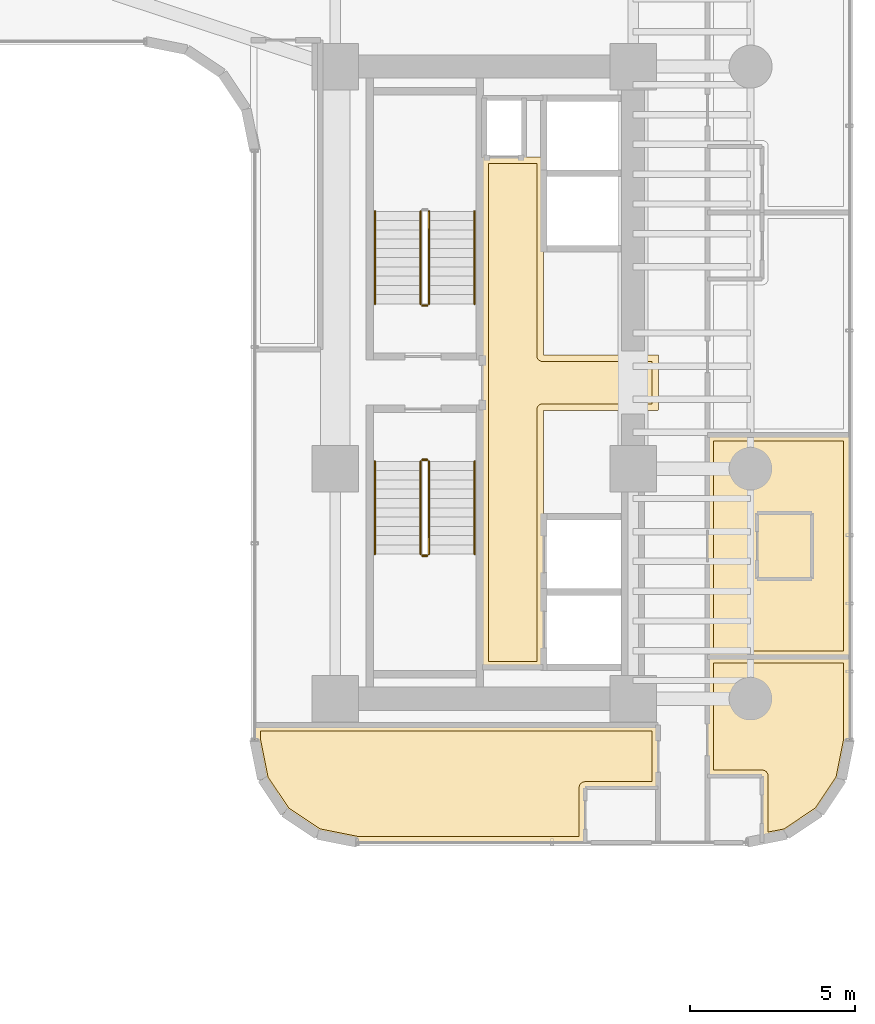
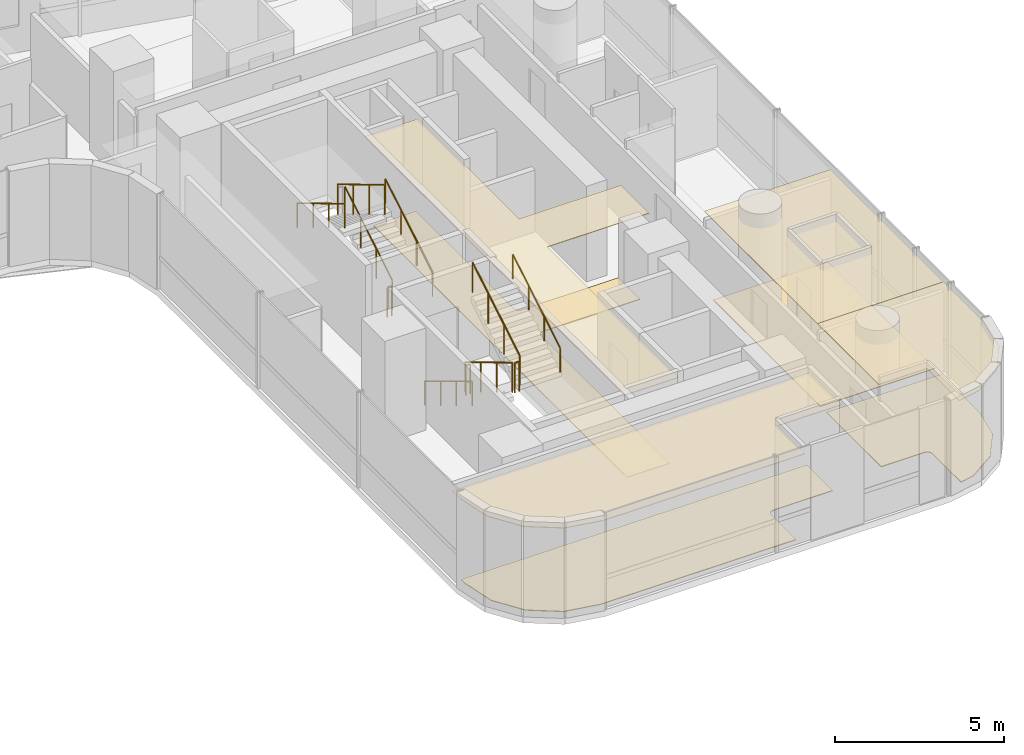
# One storey, part 39 of 42: 11 railings, 8 coverings.
"""IFC4 building model written with IfcOpenShell, lengths in metres."""

import ifcopenshell
import ifcopenshell.guid

model = None  # the IFC model being written
_history = None  # IfcOwnerHistory: only IFC2X3 demands one
_inside = {}  # id of a spatial element -> (the spatial element, [elements in it])
_under = {}  # id of a project, library or spatial element -> (it, [spatial elements below it])
_declared = {}  # id of a project -> (the project, [libraries it declares])
_typed = {}  # id of a type object -> (the type object, [elements of that type])
_made_of = {}  # id of a material, layer set ... -> (it, [elements and type objects made of it])


def new_model(schema):
    """Start an empty IFC model of exactly this schema.

    Asked for "IFC4X3", IfcOpenShell would pick the latest addendum, in which some entities
    have other attributes; the version numbers below select the first issue.
    IFC2X3 requires an IfcOwnerHistory on every rooted entity: one is made here for all.
    """
    global model, _history
    if schema == "IFC4X3":
        model = ifcopenshell.file(schema_version=(4, 3, 0, 0))
    else:
        model = ifcopenshell.file(schema=schema)
    _inside.clear()
    _under.clear()
    _declared.clear()
    _typed.clear()
    _made_of.clear()
    _history = None
    if model.schema == "IFC2X3":
        org = make("IfcOrganization", Name="unknown")
        user = make(
            "IfcPersonAndOrganization",
            ThePerson=make("IfcPerson", FamilyName="unknown"),
            TheOrganization=org,
        )
        app = make(
            "IfcApplication",
            ApplicationDeveloper=org,
            Version="unknown",
            ApplicationFullName="unknown",
            ApplicationIdentifier="unknown",
        )
        _history = make(
            "IfcOwnerHistory",
            OwningUser=user,
            OwningApplication=app,
            ChangeAction="ADDED",
            CreationDate=0,
        )
    return model


def make(cls, **values):
    """One entity of the class cls with the attributes given. An attribute that is None is left unset."""
    return model.create_entity(
        cls, **{name: value for name, value in values.items() if value is not None}
    )


def rooted(cls, **values):
    """An entity with a GlobalId (a new one), such as an element, a storey or a relation."""
    return make(cls, GlobalId=ifcopenshell.guid.new(), OwnerHistory=_history, **values)


def si_unit(unit_type, name, prefix=None):
    """IfcSIUnit, for example si_unit("LENGTHUNIT", "METRE", prefix="MILLI")."""
    return make("IfcSIUnit", UnitType=unit_type, Prefix=prefix, Name=name)


def assignment(units):
    """IfcUnitAssignment: the units of a project."""
    return None if units is None else make("IfcUnitAssignment", Units=units)


def point(xyz):
    """IfcCartesianPoint."""
    return None if xyz is None else make("IfcCartesianPoint", Coordinates=xyz)


def direction(xyz):
    """IfcDirection."""
    return None if xyz is None else make("IfcDirection", DirectionRatios=xyz)


def frame(location, z_axis=None, x_axis=None):
    """IfcAxis2Placement3D, a coordinate frame: its origin and axes. An axis left out is left unset."""
    return make(
        "IfcAxis2Placement3D",
        Location=point(location),
        Axis=direction(z_axis),
        RefDirection=direction(x_axis),
    )


def frame_2d(location, x_axis=None):
    """IfcAxis2Placement2D, a coordinate frame in the plane: its origin and x axis."""
    return make(
        "IfcAxis2Placement2D", Location=point(location), RefDirection=direction(x_axis)
    )


def origin():
    """The frame at (0, 0, 0) with its axes left unset."""
    return frame((0.0, 0.0, 0.0))


def origin_2d():
    """The frame at (0, 0) in the plane with its x axis left unset."""
    return frame_2d((0.0, 0.0))


def place(relative_to, where):
    """IfcLocalPlacement: puts the frame where relative to a parent placement (None: the world)."""
    return make(
        "IfcLocalPlacement", PlacementRelTo=relative_to, RelativePlacement=where
    )


def context(
    kind, dimensions, precision=None, world=None, true_north=None, identifier=None
):
    """IfcGeometricRepresentationContext, for example the 3D "Model" context."""
    return make(
        "IfcGeometricRepresentationContext",
        ContextIdentifier=identifier,
        ContextType=kind,
        CoordinateSpaceDimension=dimensions,
        Precision=precision,
        WorldCoordinateSystem=world,
        TrueNorth=true_north,
    )


def subcontext(parent, identifier, kind, view, scale=None):
    """IfcGeometricRepresentationSubContext, for example "Body" below "Model"."""
    return make(
        "IfcGeometricRepresentationSubContext",
        ContextIdentifier=identifier,
        ContextType=kind,
        ParentContext=parent,
        TargetScale=scale,
        TargetView=view,
    )


def project(units=None, contexts=None):
    """IfcProject with its units and contexts."""
    return rooted(
        "IfcProject",
        Name="project",
        RepresentationContexts=contexts,
        UnitsInContext=assignment(units),
    )


def spatial(cls, under=None, at=None, **own):
    """A site, building, storey or space (cls), placed at a placement, below another one or the project."""
    s = rooted(cls, ObjectPlacement=at, **own)
    if under is not None:
        _under.setdefault(under.id(), (under, []))[1].append(s)
    return s


def polyline(points):
    """IfcPolyline through the points."""
    return make("IfcPolyline", Points=[point(p) for p in points])


def profile(cls, at=None, kind="AREA", **sizes):
    """A parametric profile (cls). Its sizes go by their IFC names, for example OverallWidth=200.0."""
    return make(cls, ProfileType=kind, Position=at, **sizes)


def circle(**sizes):
    """IfcCircleProfileDef."""
    return profile("IfcCircleProfileDef", **sizes)


def outline(outer, holes=None, kind="AREA"):
    """IfcArbitraryClosedProfileDef: a profile drawn as a closed curve; with holes, ...WithVoids."""
    if holes is None:
        return make("IfcArbitraryClosedProfileDef", ProfileType=kind, OuterCurve=outer)
    return make(
        "IfcArbitraryProfileDefWithVoids",
        ProfileType=kind,
        OuterCurve=outer,
        InnerCurves=holes,
    )


def extrude(swept, where, along, depth):
    """IfcExtrudedAreaSolid: the profile swept, set in the frame where, extruded along a direction by depth."""
    return make(
        "IfcExtrudedAreaSolid",
        SweptArea=swept,
        Position=where,
        ExtrudedDirection=direction(along),
        Depth=depth,
    )


def shape(context_of_items, identifier, shape_type, items):
    """IfcShapeRepresentation: the items that make up one representation, for example the "Body"."""
    return make(
        "IfcShapeRepresentation",
        ContextOfItems=context_of_items,
        RepresentationIdentifier=identifier,
        RepresentationType=shape_type,
        Items=items,
    )


def material(Name=None, Category=None):
    """IfcMaterial."""
    return make("IfcMaterial", Name=Name, Category=Category)


def layer(
    of_material, thickness, ventilated=None, Name=None, Category=None, Priority=None
):
    """IfcMaterialLayer: one layer of a wall or slab, of a material (None: an air gap)."""
    return make(
        "IfcMaterialLayer",
        Material=of_material,
        LayerThickness=thickness,
        IsVentilated=ventilated,
        Name=Name,
        Category=Category,
        Priority=Priority,
    )


def layer_set(layers, Name=None):
    """IfcMaterialLayerSet."""
    return make("IfcMaterialLayerSet", MaterialLayers=layers, LayerSetName=Name)


def made_of(thing, what):
    """Note that an element or type object is made of a material, layer set ...; save() writes the relation."""
    if what is not None:
        _made_of.setdefault(what.id(), (what, []))[1].append(thing)
    return thing


def type_object(cls, material=None, **own):
    """A type object (cls), such as IfcWallType, which elements share."""
    return made_of(rooted(cls, **own), material)


def element(
    cls,
    number,
    at=None,
    inside=None,
    cuts=None,
    type_object=None,
    material=None,
    context=None,
    identifier="Body",
    shape_type=None,
    held_by="IfcProductDefinitionShape",
    body=None,
    shapes=None,
    **own,
):
    """One element of the class cls, such as IfcWall. Its Tag is "e" and its number.

    at: its placement. inside: the storey or other place that contains it. cuts: it is an
    opening in that element (IfcRelVoidsElement). A single representation is given by context,
    identifier, shape_type and body (its items); several are given by shapes. held_by: the class
    of the entity that holds the representations. save() writes the other relations.
    """
    e = rooted(cls, Tag="e%d" % number, ObjectPlacement=at, **own)
    if body is not None:
        shapes = [shape(context, identifier, shape_type, body)]
    if shapes is not None:
        e.Representation = make(held_by, Representations=shapes)
    if inside is not None:
        _inside.setdefault(inside.id(), (inside, []))[1].append(e)
    if cuts is not None:
        rooted(
            "IfcRelVoidsElement", RelatingBuildingElement=cuts, RelatedOpeningElement=e
        )
    if type_object is not None:
        _typed.setdefault(type_object.id(), (type_object, []))[1].append(e)
    return made_of(e, material)


def aggregate(whole, parts):
    """IfcRelAggregates: a whole, such as a stair, and the parts it consists of."""
    return rooted("IfcRelAggregates", RelatingObject=whole, RelatedObjects=parts)


def save(model, path):
    """Write the relations noted so far, then the file.

    IfcRelAggregates (storeys below a building ...), IfcRelContainedInSpatialStructure (elements
    in a storey), IfcRelDefinesByType, IfcRelAssociatesMaterial and IfcRelDeclares: one each for
    every whole, place, type object, material and project.
    """
    for whole, parts in _under.values():
        aggregate(whole, parts)
    for where, things in _inside.values():
        rooted(
            "IfcRelContainedInSpatialStructure",
            RelatedElements=things,
            RelatingStructure=where,
        )
    for kind, things in _typed.values():
        rooted("IfcRelDefinesByType", RelatedObjects=things, RelatingType=kind)
    for what, things in _made_of.values():
        rooted("IfcRelAssociatesMaterial", RelatedObjects=things, RelatingMaterial=what)
    for by, libraries in _declared.values():
        rooted("IfcRelDeclares", RelatingContext=by, RelatedDefinitions=libraries)
    model.write(path)


model = new_model("IFC4")

# Units and contexts
model_context = context("Model", 3, precision=1e-05, world=origin(), true_north=direction((0.0, 1.0)))
body_context = subcontext(model_context, "Body", "Model", "MODEL_VIEW")
ifc_project = project(units=[si_unit("LENGTHUNIT", "METRE"), si_unit("AREAUNIT", "SQUARE_METRE"), si_unit("VOLUMEUNIT", "CUBIC_METRE"), si_unit("PLANEANGLEUNIT", "RADIAN"), si_unit("MASSUNIT", "GRAM", prefix="KILO")], contexts=[model_context])

# Site, building, storey
site_placement = place(None, origin())
site = spatial("IfcSite", under=ifc_project, at=site_placement, CompositionType="ELEMENT")
building_placement = place(site_placement, origin())
building = spatial("IfcBuilding", under=site, at=building_placement, Name="Valdorenza Pilgrim Sanctuary Tower", CompositionType="ELEMENT")
storey_placement = place(building_placement, frame((0.0, 0.0, 29.699951171875)))
storey = spatial("IfcBuildingStorey", under=building, at=storey_placement, Name="L06", CompositionType="ELEMENT", Elevation=29.699951171875)

# Coverings
ifc_material_1 = material(Name="Micro-perforated acoustic mineral ceiling tile", Category="gypsum")
ifc_layer_1 = layer(ifc_material_1, 0.02490234375, Name="Micro-perforated acoustic mineral ceiling tile")
ifc_layer_set_1 = layer_set([ifc_layer_1], Name="Micro-perforated acoustic mineral ceiling tile")
covering_type_1 = type_object("IfcCoveringType", Name="COV-CLG-ACU", PredefinedType="CEILING", material=ifc_layer_set_1)
covering_1_placement = place(storey_placement, frame((0.0, 0.0, 3.16015625)))
element("IfcCovering", 1, at=covering_1_placement, inside=storey, type_object=covering_type_1, Name="L06 Core B Passenger Lift Lobby Acoustic Ceiling", PredefinedType="CEILING", context=body_context, shape_type="SweptSolid", body=[
    extrude(outline(polyline([(20.287109375, -0.814697265625), (20.287109375, 0.814697265625), (20.28662109375, 0.815185546875), (20.2861328125, 0.81640625), (20.28564453125, 0.81787109375), (20.285400390625, 0.819091796875), (20.28515625, 0.820556640625), (20.284912109375, 0.822021484375), (20.284912109375, 6.800048828125), (20.28515625, 6.801513671875), (20.285400390625, 6.802978515625), (20.28564453125, 6.804443359375), (20.2861328125, 6.8056640625), (20.286865234375, 6.80712890625), (20.28759765625, 6.808349609375), (20.288330078125, 6.8095703125), (20.289306640625, 6.810546875), (20.29052734375, 6.8115234375), (20.291748046875, 6.8125), (20.29296875, 6.813232421875), (20.294189453125, 6.81396484375), (20.295654296875, 6.814453125), (20.297119140625, 6.814697265625), (20.298583984375, 6.81494140625), (20.300048828125, 6.81494140625), (20.347900390625, 6.81494140625), (20.349365234375, 6.81494140625), (20.350830078125, 6.814697265625), (20.352294921875, 6.814453125), (20.353515625, 6.81396484375), (20.35498046875, 6.813232421875), (20.35546875, 6.81298828125), (21.544677734375, 6.81298828125), (21.545166015625, 6.813232421875), (21.54638671875, 6.81396484375), (21.5478515625, 6.814453125), (21.54931640625, 6.814697265625), (21.550537109375, 6.81494140625), (21.552001953125, 6.81494140625), (22.1201171875, 6.81494140625), (22.12158203125, 6.81494140625), (22.122802734375, 6.814697265625), (22.12451171875, 6.814453125), (22.125732421875, 6.81396484375), (22.127197265625, 6.813232421875), (22.12841796875, 6.8125), (22.12939453125, 6.8115234375), (22.130615234375, 6.810546875), (22.131591796875, 6.8095703125), (22.132568359375, 6.808349609375), (22.13330078125, 6.80712890625), (22.1337890625, 6.8056640625), (22.134521484375, 6.804443359375), (22.134765625, 6.802978515625), (22.135009765625, 6.801513671875), (22.135009765625, 6.800048828125), (22.135009765625, 0.8349609375), (25.60009765625, 0.8349609375), (25.6015625, 0.8349609375), (25.602783203125, 0.834716796875), (25.6044921875, 0.83447265625), (25.605712890625, 0.833984375), (25.607177734375, 0.833251953125), (25.6083984375, 0.83251953125), (25.609619140625, 0.83154296875), (25.610595703125, 0.83056640625), (25.611572265625, 0.82958984375), (25.612548828125, 0.828369140625), (25.61328125, 0.8271484375), (25.614013671875, 0.82568359375), (25.614501953125, 0.824462890625), (25.61474609375, 0.822998046875), (25.614990234375, 0.821533203125), (25.614990234375, 0.820068359375), (25.614990234375, -0.820068359375), (25.614990234375, -0.821533203125), (25.61474609375, -0.822998046875), (25.614501953125, -0.824462890625), (25.614013671875, -0.82568359375), (25.61328125, -0.8271484375), (25.612548828125, -0.828369140625), (25.611572265625, -0.82958984375), (25.610595703125, -0.83056640625), (25.609619140625, -0.83154296875), (25.6083984375, -0.83251953125), (25.607177734375, -0.833251953125), (25.605712890625, -0.833984375), (25.6044921875, -0.83447265625), (25.602783203125, -0.834716796875), (25.6015625, -0.8349609375), (25.60009765625, -0.8349609375), (22.135009765625, -0.8349609375), (22.135009765625, -8.60009765625), (22.135009765625, -8.6015625), (22.134765625, -8.602783203125), (22.134521484375, -8.6044921875), (22.1337890625, -8.605712890625), (22.13330078125, -8.607177734375), (22.132568359375, -8.6083984375), (22.131591796875, -8.609619140625), (22.130615234375, -8.610595703125), (22.12939453125, -8.611572265625), (22.12841796875, -8.612548828125), (22.127197265625, -8.61328125), (22.125732421875, -8.614013671875), (22.12451171875, -8.614501953125), (22.122802734375, -8.61474609375), (22.12158203125, -8.614990234375), (22.1201171875, -8.614990234375), (20.300048828125, -8.614990234375), (20.298583984375, -8.614990234375), (20.297119140625, -8.61474609375), (20.295654296875, -8.614501953125), (20.294189453125, -8.614013671875), (20.29296875, -8.61328125), (20.291748046875, -8.612548828125), (20.29052734375, -8.611572265625), (20.289306640625, -8.610595703125), (20.288330078125, -8.609619140625), (20.28759765625, -8.6083984375), (20.286865234375, -8.607177734375), (20.2861328125, -8.605712890625), (20.28564453125, -8.6044921875), (20.285400390625, -8.602783203125), (20.28515625, -8.6015625), (20.284912109375, -8.60009765625), (20.284912109375, -0.822021484375), (20.28515625, -0.820556640625), (20.285400390625, -0.819091796875), (20.28564453125, -0.81787109375), (20.2861328125, -0.81640625), (20.28662109375, -0.815185546875), (20.287109375, -0.814697265625)])), origin(), (0.0, 0.0, 1.0), 0.02490234375),
])
covering_2_placement = place(storey_placement, frame((0.0, 0.0, 3.16015625)))
element("IfcCovering", 2, at=covering_2_placement, inside=storey, type_object=covering_type_1, Name="L06 East South Guest Room L06-ES1 Acoustic Ceiling", PredefinedType="CEILING", context=body_context, shape_type="SweptSolid", body=[
    extrude(outline(polyline([(23.4130859375, -12.2529296875), (23.4130859375, -13.889892578125), (23.412841796875, -13.8916015625), (23.41259765625, -13.892822265625), (23.412353515625, -13.894287109375), (23.411865234375, -13.895751953125), (23.4111328125, -13.897216796875), (23.410400390625, -13.898193359375), (23.40966796875, -13.8994140625), (23.40869140625, -13.900634765625), (23.407470703125, -13.901611328125), (23.40625, -13.902587890625), (23.405029296875, -13.9033203125), (23.40380859375, -13.90380859375), (23.40234375, -13.904296875), (23.40087890625, -13.90478515625), (23.3994140625, -13.90478515625), (23.39794921875, -13.905029296875), (16.5107421875, -13.905029296875), (16.509521484375, -13.90478515625), (16.5078125, -13.90478515625), (15.3154296875, -13.66748046875), (15.31396484375, -13.6669921875), (15.3125, -13.66650390625), (15.311279296875, -13.666015625), (15.31005859375, -13.665283203125), (14.308349609375, -12.995849609375), (14.30712890625, -12.9951171875), (14.305908203125, -12.993896484375), (14.304931640625, -12.992919921875), (14.30419921875, -12.99169921875), (13.634765625, -11.989990234375), (13.634033203125, -11.98876953125), (13.63330078125, -11.9873046875), (13.6328125, -11.986083984375), (13.632568359375, -11.984619140625), (13.395263671875, -10.7919921875), (13.39501953125, -10.79052734375), (13.39501953125, -10.789306640625), (13.39501953125, -10.35009765625), (13.39501953125, -10.348388671875), (13.395263671875, -10.34716796875), (13.3955078125, -10.345703125), (13.39599609375, -10.34423828125), (13.396728515625, -10.343017578125), (13.3974609375, -10.341796875), (13.3984375, -10.340576171875), (13.3994140625, -10.33935546875), (13.400390625, -10.33837890625), (13.401611328125, -10.33740234375), (13.40283203125, -10.3369140625), (13.404296875, -10.336181640625), (13.405517578125, -10.335693359375), (13.406982421875, -10.335205078125), (13.408447265625, -10.335205078125), (13.409912109375, -10.3349609375), (25.60009765625, -10.3349609375), (25.6015625, -10.335205078125), (25.602783203125, -10.335205078125), (25.6044921875, -10.335693359375), (25.605712890625, -10.336181640625), (25.607177734375, -10.3369140625), (25.6083984375, -10.33740234375), (25.609619140625, -10.33837890625), (25.610595703125, -10.33935546875), (25.611572265625, -10.340576171875), (25.612548828125, -10.341796875), (25.61328125, -10.343017578125), (25.614013671875, -10.34423828125), (25.614501953125, -10.345703125), (25.61474609375, -10.34716796875), (25.614990234375, -10.348388671875), (25.614990234375, -10.35009765625), (25.614990234375, -12.238037109375), (25.614990234375, -12.239501953125), (25.61474609375, -12.240966796875), (25.614501953125, -12.242431640625), (25.614013671875, -12.24365234375), (25.61328125, -12.2451171875), (25.612548828125, -12.246337890625), (25.611572265625, -12.24755859375), (25.610595703125, -12.24853515625), (25.609619140625, -12.24951171875), (25.6083984375, -12.25048828125), (25.607177734375, -12.251220703125), (25.605712890625, -12.251953125), (25.6044921875, -12.25244140625), (25.602783203125, -12.252685546875), (25.6015625, -12.2529296875), (25.60009765625, -12.2529296875), (23.4130859375, -12.2529296875)])), origin(), (0.0, 0.0, 1.0), 0.02490234375),
])
covering_3_placement = place(storey_placement, frame((0.0, 0.0, 3.16015625)))
element("IfcCovering", 3, at=covering_3_placement, inside=storey, type_object=covering_type_1, Name="L06 East Sanctuary Guest Room L06-EG1 Acoustic Ceiling", PredefinedType="CEILING", context=body_context, shape_type="SweptSolid", body=[
    extrude(outline(polyline([(28.737060546875, -11.903076171875), (27.10009765625, -11.903076171875), (27.098388671875, -11.90283203125), (27.09716796875, -11.902587890625), (27.095703125, -11.90234375), (27.09423828125, -11.90185546875), (27.093017578125, -11.901123046875), (27.091796875, -11.900390625), (27.090576171875, -11.899658203125), (27.08935546875, -11.898681640625), (27.08837890625, -11.8974609375), (27.08740234375, -11.896240234375), (27.0869140625, -11.89501953125), (27.086181640625, -11.893798828125), (27.085693359375, -11.892333984375), (27.085205078125, -11.890869140625), (27.085205078125, -11.889404296875), (27.0849609375, -11.887939453125), (27.0849609375, -8.287109375), (27.085205078125, -8.285400390625), (27.085205078125, -8.2841796875), (27.085693359375, -8.28271484375), (27.086181640625, -8.28125), (27.0869140625, -8.27978515625), (27.08740234375, -8.27880859375), (27.08837890625, -8.277587890625), (27.08935546875, -8.2763671875), (27.090576171875, -8.275390625), (27.091796875, -8.2744140625), (27.093017578125, -8.273681640625), (27.09423828125, -8.273193359375), (27.095703125, -8.272705078125), (27.09716796875, -8.272216796875), (27.098388671875, -8.272216796875), (27.10009765625, -8.27197265625), (31.389892578125, -8.27197265625), (31.3916015625, -8.272216796875), (31.392822265625, -8.272216796875), (31.394287109375, -8.272705078125), (31.395751953125, -8.273193359375), (31.397216796875, -8.273681640625), (31.398193359375, -8.2744140625), (31.3994140625, -8.275390625), (31.400634765625, -8.2763671875), (31.401611328125, -8.277587890625), (31.402587890625, -8.27880859375), (31.4033203125, -8.27978515625), (31.40380859375, -8.28125), (31.404296875, -8.28271484375), (31.40478515625, -8.2841796875), (31.40478515625, -8.285400390625), (31.405029296875, -8.287109375), (31.405029296875, -10.789306640625), (31.40478515625, -10.79052734375), (31.40478515625, -10.7919921875), (31.16748046875, -11.984619140625), (31.1669921875, -11.986083984375), (31.16650390625, -11.9873046875), (31.166015625, -11.98876953125), (31.165283203125, -11.989990234375), (30.495849609375, -12.99169921875), (30.4951171875, -12.992919921875), (30.493896484375, -12.993896484375), (30.492919921875, -12.9951171875), (30.49169921875, -12.995849609375), (29.489990234375, -13.665283203125), (29.48876953125, -13.666015625), (29.4873046875, -13.66650390625), (29.486083984375, -13.6669921875), (29.484619140625, -13.66748046875), (28.7548828125, -13.8125), (28.75341796875, -13.81298828125), (28.751953125, -13.81298828125), (28.75048828125, -13.81298828125), (28.7490234375, -13.8125), (28.74755859375, -13.812255859375), (28.746337890625, -13.811767578125), (28.744873046875, -13.811279296875), (28.74365234375, -13.810302734375), (28.742431640625, -13.8095703125), (28.741455078125, -13.80859375), (28.740478515625, -13.807373046875), (28.739501953125, -13.806396484375), (28.73876953125, -13.804931640625), (28.738037109375, -13.8037109375), (28.737548828125, -13.80224609375), (28.7373046875, -13.80078125), (28.737060546875, -13.79931640625), (28.737060546875, -13.7978515625), (28.737060546875, -11.903076171875)])), origin(), (0.0, 0.0, 1.0), 0.02490234375),
])
covering_4_placement = place(storey_placement, frame((0.0, 0.0, 3.16015625)))
element("IfcCovering", 4, at=covering_4_placement, inside=storey, type_object=covering_type_1, Name="L06 East Sanctuary Guest Room L06-EG2 Acoustic Ceiling", PredefinedType="CEILING", context=body_context, shape_type="SweptSolid", body=[
    extrude(outline(polyline([(31.389892578125, -1.56005859375), (31.3916015625, -1.56005859375), (31.392822265625, -1.560302734375), (31.394287109375, -1.560546875), (31.395751953125, -1.56103515625), (31.397216796875, -1.561767578125), (31.398193359375, -1.5625), (31.3994140625, -1.5634765625), (31.400634765625, -1.564453125), (31.401611328125, -1.5654296875), (31.402587890625, -1.566650390625), (31.4033203125, -1.56787109375), (31.40380859375, -1.5693359375), (31.404296875, -1.570556640625), (31.40478515625, -1.572021484375), (31.40478515625, -1.573486328125), (31.405029296875, -1.574951171875), (31.405029296875, -8.284912109375), (31.40478515625, -8.28662109375), (31.40478515625, -8.287841796875), (31.404296875, -8.289306640625), (31.40380859375, -8.290771484375), (31.4033203125, -8.2919921875), (31.402587890625, -8.293212890625), (31.401611328125, -8.29443359375), (31.400634765625, -8.295654296875), (31.3994140625, -8.296630859375), (31.398193359375, -8.297607421875), (31.397216796875, -8.298095703125), (31.395751953125, -8.298828125), (31.394287109375, -8.29931640625), (31.392822265625, -8.2998046875), (31.3916015625, -8.2998046875), (31.389892578125, -8.300048828125), (27.10009765625, -8.300048828125), (27.098388671875, -8.2998046875), (27.09716796875, -8.2998046875), (27.095703125, -8.29931640625), (27.09423828125, -8.298828125), (27.093017578125, -8.298095703125), (27.091796875, -8.297607421875), (27.090576171875, -8.296630859375), (27.08935546875, -8.295654296875), (27.08837890625, -8.29443359375), (27.08740234375, -8.293212890625), (27.0869140625, -8.2919921875), (27.086181640625, -8.290771484375), (27.085693359375, -8.289306640625), (27.085205078125, -8.287841796875), (27.085205078125, -8.28662109375), (27.0849609375, -8.284912109375), (27.0849609375, -1.574951171875), (27.085205078125, -1.573486328125), (27.085205078125, -1.572021484375), (27.085693359375, -1.570556640625), (27.086181640625, -1.5693359375), (27.0869140625, -1.56787109375), (27.08740234375, -1.566650390625), (27.08837890625, -1.5654296875), (27.08935546875, -1.564453125), (27.090576171875, -1.5634765625), (27.091796875, -1.5625), (27.093017578125, -1.561767578125), (27.09423828125, -1.56103515625), (27.095703125, -1.560546875), (27.09716796875, -1.560302734375), (27.098388671875, -1.56005859375), (27.10009765625, -1.56005859375), (31.389892578125, -1.56005859375)])), origin(), (0.0, 0.0, 1.0), 0.02490234375),
])
ifc_material_2 = material(Name="Engineered European oak timber flooring", Category="wood")
ifc_layer_2 = layer(ifc_material_2, 0.02197265625, Name="Engineered European oak timber flooring")
ifc_layer_set_2 = layer_set([ifc_layer_2], Name="Engineered European oak timber flooring")
covering_type_2 = type_object("IfcCoveringType", Name="COV-FLR-OAK", PredefinedType="FLOORING", material=ifc_layer_set_2)
covering_5_placement = place(storey_placement, origin())
element("IfcCovering", 5, at=covering_5_placement, inside=storey, type_object=covering_type_2, Name="L06 East South Guest Room L06-ES1 Flooring", PredefinedType="FLOORING", context=body_context, shape_type="SweptSolid", body=[
    extrude(outline(polyline([(25.419921875, -10.530029296875), (25.419921875, -12.05810546875), (23.39990234375, -12.05810546875), (23.39111328125, -12.05810546875), (23.39111328125, -12.05810546875), (23.373291015625, -12.06005859375), (23.373291015625, -12.06005859375), (23.35595703125, -12.0634765625), (23.355712890625, -12.0634765625), (23.3388671875, -12.068603515625), (23.338623046875, -12.068603515625), (23.322265625, -12.075439453125), (23.322021484375, -12.075439453125), (23.306396484375, -12.083740234375), (23.306396484375, -12.083984375), (23.291748046875, -12.09375), (23.29150390625, -12.093994140625), (23.27783203125, -12.10498046875), (23.277587890625, -12.105224609375), (23.26513671875, -12.11767578125), (23.26513671875, -12.117919921875), (23.25390625, -12.131591796875), (23.25390625, -12.131591796875), (23.243896484375, -12.146484375), (23.243896484375, -12.146484375), (23.235595703125, -12.162109375), (23.2353515625, -12.162353515625), (23.228759765625, -12.1787109375), (23.228515625, -12.1787109375), (23.223388671875, -12.19580078125), (23.223388671875, -12.19580078125), (23.219970703125, -12.213134765625), (23.219970703125, -12.21337890625), (23.21826171875, -12.23095703125), (23.21826171875, -12.231201171875), (23.218017578125, -12.239990234375), (23.218017578125, -13.7099609375), (16.528564453125, -13.7099609375), (15.388671875, -13.483154296875), (14.4462890625, -12.853515625), (13.81689453125, -11.911376953125), (13.590087890625, -10.771484375), (13.590087890625, -10.530029296875), (25.419921875, -10.530029296875)])), origin(), (0.0, 0.0, 1.0), 0.025146484375),
])
covering_6_placement = place(storey_placement, origin())
element("IfcCovering", 6, at=covering_6_placement, inside=storey, type_object=covering_type_2, Name="L06 East Sanctuary Guest Room L06-EG1 Flooring", PredefinedType="FLOORING", context=body_context, shape_type="SweptSolid", body=[
    extrude(outline(polyline([(31.2099609375, -10.771484375), (30.983154296875, -11.911376953125), (30.353515625, -12.853515625), (29.411376953125, -13.483154296875), (28.931884765625, -13.57861328125), (28.931884765625, -11.889892578125), (28.931884765625, -11.881103515625), (28.931884765625, -11.881103515625), (28.929931640625, -11.86328125), (28.929931640625, -11.86328125), (28.926513671875, -11.845947265625), (28.926513671875, -11.845703125), (28.92138671875, -11.828857421875), (28.92138671875, -11.82861328125), (28.91455078125, -11.812255859375), (28.91455078125, -11.81201171875), (28.90625, -11.79638671875), (28.906005859375, -11.79638671875), (28.896240234375, -11.78173828125), (28.89599609375, -11.781494140625), (28.885009765625, -11.767822265625), (28.884765625, -11.767578125), (28.872314453125, -11.755126953125), (28.8720703125, -11.755126953125), (28.8583984375, -11.743896484375), (28.8583984375, -11.743896484375), (28.843505859375, -11.73388671875), (28.843505859375, -11.73388671875), (28.827880859375, -11.7255859375), (28.82763671875, -11.725341796875), (28.811279296875, -11.71875), (28.811279296875, -11.718505859375), (28.794189453125, -11.71337890625), (28.794189453125, -11.71337890625), (28.77685546875, -11.7099609375), (28.776611328125, -11.7099609375), (28.759033203125, -11.708251953125), (28.7587890625, -11.708251953125), (28.75, -11.7080078125), (27.280029296875, -11.7080078125), (27.280029296875, -8.467041015625), (31.2099609375, -8.467041015625), (31.2099609375, -10.771484375)])), origin(), (0.0, 0.0, 1.0), 0.025146484375),
])
covering_7_placement = place(storey_placement, origin())
element("IfcCovering", 7, at=covering_7_placement, inside=storey, type_object=covering_type_2, Name="L06 East Sanctuary Guest Room L06-EG2 Flooring", PredefinedType="FLOORING", context=body_context, shape_type="SweptSolid", body=[
    extrude(outline(polyline([(31.2099609375, -1.7548828125), (31.2099609375, -8.10498046875), (27.280029296875, -8.10498046875), (27.280029296875, -1.7548828125), (31.2099609375, -1.7548828125)])), origin(), (0.0, 0.0, 1.0), 0.025146484375),
])
ifc_material_3 = material(Name="Honed travertine stone flooring", Category="masonry")
ifc_layer_3 = layer(ifc_material_3, 0.030029296875, Name="Honed travertine stone flooring")
ifc_layer_set_3 = layer_set([ifc_layer_3], Name="Honed travertine stone flooring")
covering_type_3 = type_object("IfcCoveringType", Name="COV-FLR-TRV", PredefinedType="FLOORING", material=ifc_layer_set_3)
covering_8_placement = place(storey_placement, origin())
element("IfcCovering", 8, at=covering_8_placement, inside=storey, type_object=covering_type_3, Name="L06 Core B Passenger Lift Lobby Flooring", PredefinedType="FLOORING", context=body_context, shape_type="SweptSolid", body=[
    extrude(outline(polyline([(20.47998046875, 6.617919921875), (21.550048828125, 6.617919921875), (21.550537109375, 6.617919921875), (21.93994140625, 6.619384765625), (21.93994140625, 0.820068359375), (21.94091796875, 0.802490234375), (21.943603515625, 0.784912109375), (21.94775390625, 0.767578125), (21.95361328125, 0.751220703125), (21.961181640625, 0.735107421875), (21.97021484375, 0.719970703125), (21.98095703125, 0.705810546875), (21.99267578125, 0.692626953125), (22.005859375, 0.680908203125), (22.02001953125, 0.67041015625), (22.03515625, 0.661376953125), (22.051025390625, 0.65380859375), (22.067626953125, 0.647705078125), (22.0849609375, 0.6435546875), (22.102294921875, 0.640869140625), (22.1201171875, 0.639892578125), (25.419921875, 0.639892578125), (25.419921875, -0.639892578125), (22.1201171875, -0.639892578125), (22.102294921875, -0.640869140625), (22.0849609375, -0.6435546875), (22.067626953125, -0.647705078125), (22.051025390625, -0.65380859375), (22.03515625, -0.661376953125), (22.02001953125, -0.67041015625), (22.005859375, -0.680908203125), (21.99267578125, -0.692626953125), (21.98095703125, -0.705810546875), (21.97021484375, -0.719970703125), (21.961181640625, -0.735107421875), (21.95361328125, -0.751220703125), (21.94775390625, -0.767578125), (21.943603515625, -0.784912109375), (21.94091796875, -0.802490234375), (21.93994140625, -0.820068359375), (21.93994140625, -8.419921875), (20.47998046875, -8.419921875), (20.47998046875, -0.846923828125), (20.47998046875, -0.8466796875), (20.47998046875, -0.8466796875), (20.481689453125, -0.8291015625), (20.481689453125, -0.828857421875), (20.48193359375, -0.820068359375), (20.48193359375, 0.820068359375), (20.47998046875, 6.617919921875)])), origin(), (0.0, 0.0, 1.0), 0.025146484375),
])

# Railings
ifc_material_4 = material(Name="Stainless steel Grade 316", Category="steel")
railing_type_1 = type_object("IfcRailingType", Name="RLG-GRD-1120", PredefinedType="GUARDRAIL", material=ifc_material_4)
railing_1_placement = place(storey_placement, frame((18.679931640625, 2.3798828125, 0.168212890625)))
element("IfcRailing", 9, at=railing_1_placement, inside=storey, type_object=railing_type_1, Name="L06 ST-B1 stair guard 1", PredefinedType="GUARDRAIL", context=body_context, shape_type="SweptSolid", body=[
    extrude(circle(Radius=0.02392578125, at=origin_2d()), frame((0.0, 0.0, 1.076171875), z_axis=(0.0, 0.857242210791, 0.514913383045), x_axis=(-1.0, 0.0, 0.0)), (0.0, 0.0, 1.0), 3.266357421875),
    extrude(circle(Radius=0.02099609375, at=origin_2d()), origin(), (0.0, 0.0, 1.0), 1.052001953125),
    extrude(circle(Radius=0.02099609375, at=origin_2d()), frame((0.0, 0.933349609375, 0.560546875)), (0.0, 0.0, 1.0), 1.052001953125),
    extrude(circle(Radius=0.02099609375, at=origin_2d()), frame((0.0, 1.86669921875, 1.121337890625)), (0.0, 0.0, 1.0), 1.052001953125),
    extrude(circle(Radius=0.02099609375, at=origin_2d()), frame((0.0, 2.800048828125, 1.681884765625)), (0.0, 0.0, 1.0), 1.052001953125),
])
railing_2_placement = place(storey_placement, frame((18.429931640625, 5.179931640625, 2.018310546875)))
element("IfcRailing", 10, at=railing_2_placement, inside=storey, type_object=railing_type_1, Name="L06 ST-B1 stair guard 3", PredefinedType="GUARDRAIL", context=body_context, shape_type="SweptSolid", body=[
    extrude(circle(Radius=0.02392578125, at=origin_2d()), frame((0.0, 0.0, 1.076171875), z_axis=(0.0, -0.857275202839, 0.514858452973), x_axis=(1.0, 0.0, 0.0)), (0.0, 0.0, 1.0), 3.26611328125),
    extrude(circle(Radius=0.02099609375, at=origin_2d()), origin(), (0.0, 0.0, 1.0), 1.052001953125),
    extrude(circle(Radius=0.02099609375, at=origin_2d()), frame((0.0, -0.933349609375, 0.560546875)), (0.0, 0.0, 1.0), 1.052001953125),
    extrude(circle(Radius=0.02099609375, at=origin_2d()), frame((0.0, -1.86669921875, 1.12109375)), (0.0, 0.0, 1.0), 1.052001953125),
    extrude(circle(Radius=0.02099609375, at=origin_2d()), frame((0.0, -2.800048828125, 1.681640625)), (0.0, 0.0, 1.0), 1.052001953125),
])
railing_3_placement = place(storey_placement, frame((18.6298828125, 2.330078125, 0.0)))
element("IfcRailing", 11, at=railing_3_placement, inside=storey, type_object=railing_type_1, Name="L06 ST-B1 stair guard 4", PredefinedType="GUARDRAIL", context=body_context, shape_type="SweptSolid", body=[
    extrude(circle(Radius=0.02392578125, at=origin_2d()), frame((0.0, 0.0, 1.076171875), z_axis=(-1.0, 0.0, 0.0), x_axis=(0.0, -1.0, 0.0)), (0.0, 0.0, 1.0), 0.14990234375),
    extrude(circle(Radius=0.02099609375, at=origin_2d()), origin(), (0.0, 0.0, 1.0), 1.052001953125),
    extrude(circle(Radius=0.02099609375, at=origin_2d()), frame((-0.14990234375, 0.0, 0.0)), (0.0, 0.0, 1.0), 1.052001953125),
])
railing_4_placement = place(storey_placement, frame((18.429931640625, -2.3798828125, 0.168212890625)))
element("IfcRailing", 12, at=railing_4_placement, inside=storey, type_object=railing_type_1, Name="L06 ST-B2 stair guard 1", PredefinedType="GUARDRAIL", context=body_context, shape_type="SweptSolid", body=[
    extrude(circle(Radius=0.02392578125, at=origin_2d()), frame((0.0, 0.0, 1.076171875), z_axis=(0.0, -0.857242210791, 0.514913383045), x_axis=(1.0, 0.0, 0.0)), (0.0, 0.0, 1.0), 3.266357421875),
    extrude(circle(Radius=0.02099609375, at=origin_2d()), origin(), (0.0, 0.0, 1.0), 1.052001953125),
    extrude(circle(Radius=0.02099609375, at=origin_2d()), frame((0.0, -0.933349609375, 0.560546875)), (0.0, 0.0, 1.0), 1.052001953125),
    extrude(circle(Radius=0.02099609375, at=origin_2d()), frame((0.0, -1.86669921875, 1.121337890625)), (0.0, 0.0, 1.0), 1.052001953125),
    extrude(circle(Radius=0.02099609375, at=origin_2d()), frame((0.0, -2.800048828125, 1.681884765625)), (0.0, 0.0, 1.0), 1.052001953125),
])
railing_5_placement = place(storey_placement, frame((18.47998046875, -5.22998046875, 1.85009765625)))
element("IfcRailing", 13, at=railing_5_placement, inside=storey, type_object=railing_type_1, Name="L06 ST-B2 stair guard 2", PredefinedType="GUARDRAIL", context=body_context, shape_type="SweptSolid", body=[
    extrude(circle(Radius=0.02392578125, at=origin_2d()), frame((0.0, 0.0, 1.076171875), z_axis=(1.0, 0.0, 0.0), x_axis=(0.0, 1.0, 0.0)), (0.0, 0.0, 1.0), 0.14990234375),
    extrude(circle(Radius=0.02099609375, at=origin_2d()), origin(), (0.0, 0.0, 1.0), 1.052001953125),
    extrude(circle(Radius=0.02099609375, at=origin_2d()), frame((0.14990234375, 0.0, 0.0)), (0.0, 0.0, 1.0), 1.052001953125),
])
railing_6_placement = place(storey_placement, frame((18.679931640625, -5.179931640625, 2.018310546875)))
element("IfcRailing", 14, at=railing_6_placement, inside=storey, type_object=railing_type_1, Name="L06 ST-B2 stair guard 3", PredefinedType="GUARDRAIL", context=body_context, shape_type="SweptSolid", body=[
    extrude(circle(Radius=0.02392578125, at=origin_2d()), frame((0.0, 0.0, 1.076171875), z_axis=(0.0, 0.857275202839, 0.514858452973), x_axis=(-1.0, 0.0, 0.0)), (0.0, 0.0, 1.0), 3.26611328125),
    extrude(circle(Radius=0.02099609375, at=origin_2d()), origin(), (0.0, 0.0, 1.0), 1.052001953125),
    extrude(circle(Radius=0.02099609375, at=origin_2d()), frame((0.0, 0.933349609375, 0.560546875)), (0.0, 0.0, 1.0), 1.052001953125),
    extrude(circle(Radius=0.02099609375, at=origin_2d()), frame((0.0, 1.86669921875, 1.12109375)), (0.0, 0.0, 1.0), 1.052001953125),
    extrude(circle(Radius=0.02099609375, at=origin_2d()), frame((0.0, 2.800048828125, 1.681640625)), (0.0, 0.0, 1.0), 1.052001953125),
])
railing_7_placement = place(storey_placement, frame((18.47998046875, -2.330078125, 0.0)))
element("IfcRailing", 15, at=railing_7_placement, inside=storey, type_object=railing_type_1, Name="L06 ST-B2 stair guard 4", PredefinedType="GUARDRAIL", context=body_context, shape_type="SweptSolid", body=[
    extrude(circle(Radius=0.02392578125, at=origin_2d()), frame((0.0, 0.0, 1.076171875), z_axis=(1.0, 0.0, 0.0), x_axis=(0.0, 1.0, 0.0)), (0.0, 0.0, 1.0), 0.14990234375),
    extrude(circle(Radius=0.02099609375, at=origin_2d()), origin(), (0.0, 0.0, 1.0), 1.052001953125),
    extrude(circle(Radius=0.02099609375, at=origin_2d()), frame((0.14990234375, 0.0, 0.0)), (0.0, 0.0, 1.0), 1.052001953125),
])
ifc_material_5 = material(Name="Brushed stainless steel Grade 316", Category="steel")
railing_type_2 = type_object("IfcRailingType", Name="RLG-HND-920", PredefinedType="HANDRAIL", material=ifc_material_5)
railing_8_placement = place(storey_placement, frame((20.06005859375, 2.3798828125, 0.168212890625)))
element("IfcRailing", 16, at=railing_8_placement, inside=storey, type_object=railing_type_2, Name="L06 ST-B1 stair handrail 1", PredefinedType="HANDRAIL", context=body_context, shape_type="SweptSolid", body=[
    extrude(circle(Radius=0.02392578125, at=origin_2d()), frame((0.0, 0.0, 0.8759765625), z_axis=(0.0, 0.857242210791, 0.514913383045), x_axis=(-1.0, 0.0, 0.0)), (0.0, 0.0, 1.0), 3.266357421875),
    extrude(circle(Radius=0.02099609375, at=origin_2d()), origin(), (0.0, 0.0, 1.0), 0.851806640625),
    extrude(circle(Radius=0.02099609375, at=origin_2d()), frame((0.0, 0.933349609375, 0.560546875)), (0.0, 0.0, 1.0), 0.851806640625),
    extrude(circle(Radius=0.02099609375, at=origin_2d()), frame((0.0, 1.86669921875, 1.121337890625)), (0.0, 0.0, 1.0), 0.851806640625),
    extrude(circle(Radius=0.02099609375, at=origin_2d()), frame((0.0, 2.800048828125, 1.681884765625)), (0.0, 0.0, 1.0), 0.851806640625),
])
railing_9_placement = place(storey_placement, frame((17.050048828125, 5.179931640625, 2.018310546875)))
element("IfcRailing", 17, at=railing_9_placement, inside=storey, type_object=railing_type_2, Name="L06 ST-B1 stair handrail 2", PredefinedType="HANDRAIL", context=body_context, shape_type="SweptSolid", body=[
    extrude(circle(Radius=0.02392578125, at=origin_2d()), frame((0.0, 0.0, 0.8759765625), z_axis=(0.0, -0.857275202839, 0.514858452973), x_axis=(1.0, 0.0, 0.0)), (0.0, 0.0, 1.0), 3.26611328125),
    extrude(circle(Radius=0.02099609375, at=origin_2d()), origin(), (0.0, 0.0, 1.0), 0.851806640625),
    extrude(circle(Radius=0.02099609375, at=origin_2d()), frame((0.0, -0.933349609375, 0.560546875)), (0.0, 0.0, 1.0), 0.851806640625),
    extrude(circle(Radius=0.02099609375, at=origin_2d()), frame((0.0, -1.86669921875, 1.12109375)), (0.0, 0.0, 1.0), 0.851806640625),
    extrude(circle(Radius=0.02099609375, at=origin_2d()), frame((0.0, -2.800048828125, 1.681640625)), (0.0, 0.0, 1.0), 0.851806640625),
])
railing_10_placement = place(storey_placement, frame((17.050048828125, -2.3798828125, 0.168212890625)))
element("IfcRailing", 18, at=railing_10_placement, inside=storey, type_object=railing_type_2, Name="L06 ST-B2 stair handrail 1", PredefinedType="HANDRAIL", context=body_context, shape_type="SweptSolid", body=[
    extrude(circle(Radius=0.02392578125, at=origin_2d()), frame((0.0, 0.0, 0.8759765625), z_axis=(0.0, -0.857242210791, 0.514913383045), x_axis=(1.0, 0.0, 0.0)), (0.0, 0.0, 1.0), 3.266357421875),
    extrude(circle(Radius=0.02099609375, at=origin_2d()), origin(), (0.0, 0.0, 1.0), 0.851806640625),
    extrude(circle(Radius=0.02099609375, at=origin_2d()), frame((0.0, -0.933349609375, 0.560546875)), (0.0, 0.0, 1.0), 0.851806640625),
    extrude(circle(Radius=0.02099609375, at=origin_2d()), frame((0.0, -1.86669921875, 1.121337890625)), (0.0, 0.0, 1.0), 0.851806640625),
    extrude(circle(Radius=0.02099609375, at=origin_2d()), frame((0.0, -2.800048828125, 1.681884765625)), (0.0, 0.0, 1.0), 0.851806640625),
])
railing_11_placement = place(storey_placement, frame((20.06005859375, -5.179931640625, 2.018310546875)))
element("IfcRailing", 19, at=railing_11_placement, inside=storey, type_object=railing_type_2, Name="L06 ST-B2 stair handrail 2", PredefinedType="HANDRAIL", context=body_context, shape_type="SweptSolid", body=[
    extrude(circle(Radius=0.02392578125, at=origin_2d()), frame((0.0, 0.0, 0.8759765625), z_axis=(0.0, 0.857275202839, 0.514858452973), x_axis=(-1.0, 0.0, 0.0)), (0.0, 0.0, 1.0), 3.26611328125),
    extrude(circle(Radius=0.02099609375, at=origin_2d()), origin(), (0.0, 0.0, 1.0), 0.851806640625),
    extrude(circle(Radius=0.02099609375, at=origin_2d()), frame((0.0, 0.933349609375, 0.560546875)), (0.0, 0.0, 1.0), 0.851806640625),
    extrude(circle(Radius=0.02099609375, at=origin_2d()), frame((0.0, 1.86669921875, 1.12109375)), (0.0, 0.0, 1.0), 0.851806640625),
    extrude(circle(Radius=0.02099609375, at=origin_2d()), frame((0.0, 2.800048828125, 1.681640625)), (0.0, 0.0, 1.0), 0.851806640625),
])

save(model, "model.ifc")
